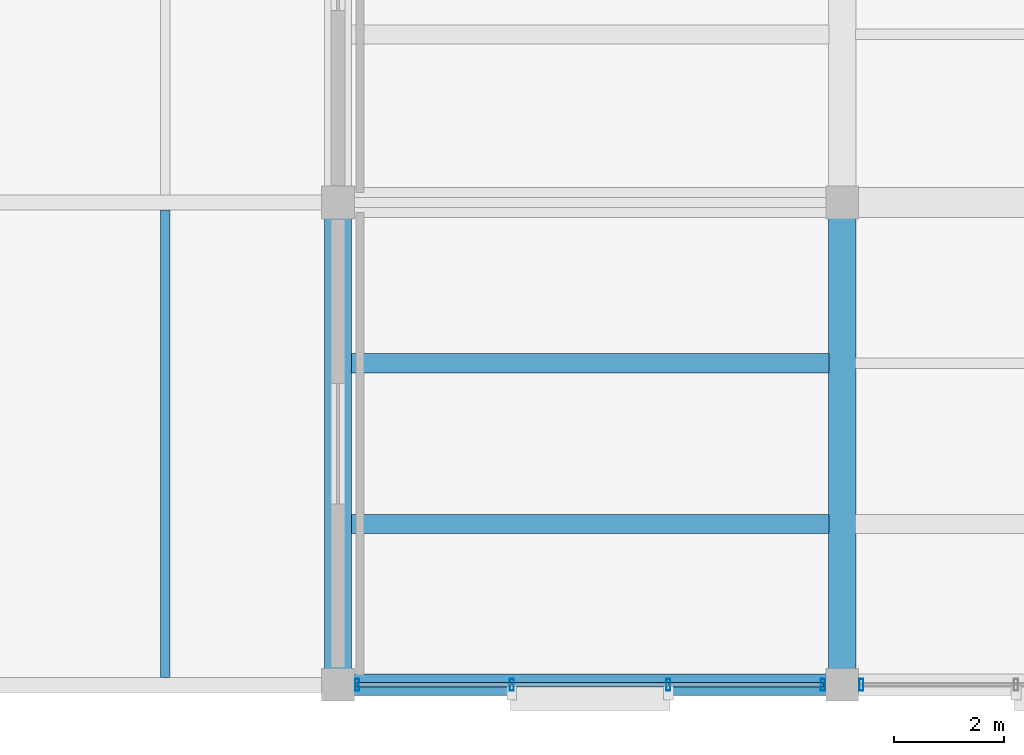
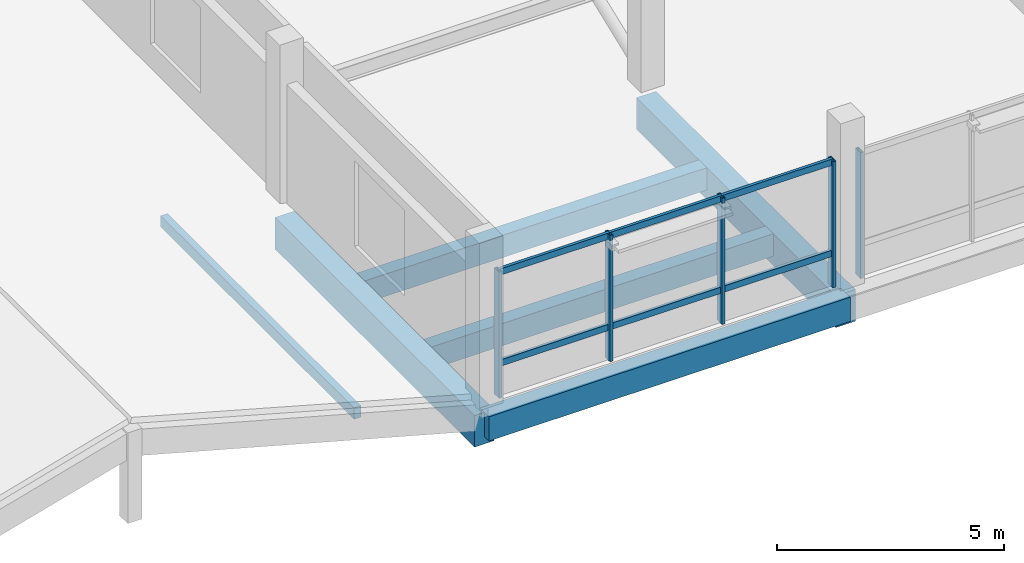
# One storey, part 13 of 77: 12 members, 5 beams, 2 elements without a shape of their own.
"""IFC4 building model written with IfcOpenShell, lengths in metres."""

import ifcopenshell
import ifcopenshell.guid

model = None  # the IFC model being written
_history = None  # IfcOwnerHistory: only IFC2X3 demands one
_inside = {}  # id of a spatial element -> (the spatial element, [elements in it])
_under = {}  # id of a project, library or spatial element -> (it, [spatial elements below it])
_declared = {}  # id of a project -> (the project, [libraries it declares])
_typed = {}  # id of a type object -> (the type object, [elements of that type])
_made_of = {}  # id of a material, layer set ... -> (it, [elements and type objects made of it])


def new_model(schema):
    """Start an empty IFC model of exactly this schema.

    Asked for "IFC4X3", IfcOpenShell would pick the latest addendum, in which some entities
    have other attributes; the version numbers below select the first issue.
    IFC2X3 requires an IfcOwnerHistory on every rooted entity: one is made here for all.
    """
    global model, _history
    if schema == "IFC4X3":
        model = ifcopenshell.file(schema_version=(4, 3, 0, 0))
    else:
        model = ifcopenshell.file(schema=schema)
    _inside.clear()
    _under.clear()
    _declared.clear()
    _typed.clear()
    _made_of.clear()
    _history = None
    if model.schema == "IFC2X3":
        org = make("IfcOrganization", Name="unknown")
        user = make(
            "IfcPersonAndOrganization",
            ThePerson=make("IfcPerson", FamilyName="unknown"),
            TheOrganization=org,
        )
        app = make(
            "IfcApplication",
            ApplicationDeveloper=org,
            Version="unknown",
            ApplicationFullName="unknown",
            ApplicationIdentifier="unknown",
        )
        _history = make(
            "IfcOwnerHistory",
            OwningUser=user,
            OwningApplication=app,
            ChangeAction="ADDED",
            CreationDate=0,
        )
    return model


def make(cls, **values):
    """One entity of the class cls with the attributes given. An attribute that is None is left unset."""
    return model.create_entity(
        cls, **{name: value for name, value in values.items() if value is not None}
    )


def rooted(cls, **values):
    """An entity with a GlobalId (a new one), such as an element, a storey or a relation."""
    return make(cls, GlobalId=ifcopenshell.guid.new(), OwnerHistory=_history, **values)


def si_unit(unit_type, name, prefix=None):
    """IfcSIUnit, for example si_unit("LENGTHUNIT", "METRE", prefix="MILLI")."""
    return make("IfcSIUnit", UnitType=unit_type, Prefix=prefix, Name=name)


def assignment(units):
    """IfcUnitAssignment: the units of a project."""
    return None if units is None else make("IfcUnitAssignment", Units=units)


def point(xyz):
    """IfcCartesianPoint."""
    return None if xyz is None else make("IfcCartesianPoint", Coordinates=xyz)


def direction(xyz):
    """IfcDirection."""
    return None if xyz is None else make("IfcDirection", DirectionRatios=xyz)


def frame(location, z_axis=None, x_axis=None):
    """IfcAxis2Placement3D, a coordinate frame: its origin and axes. An axis left out is left unset."""
    return make(
        "IfcAxis2Placement3D",
        Location=point(location),
        Axis=direction(z_axis),
        RefDirection=direction(x_axis),
    )


def frame_2d(location, x_axis=None):
    """IfcAxis2Placement2D, a coordinate frame in the plane: its origin and x axis."""
    return make(
        "IfcAxis2Placement2D", Location=point(location), RefDirection=direction(x_axis)
    )


def origin():
    """The frame at (0, 0, 0) with its axes left unset."""
    return frame((0.0, 0.0, 0.0))


def origin_2d():
    """The frame at (0, 0) in the plane with its x axis left unset."""
    return frame_2d((0.0, 0.0))


def place(relative_to, where):
    """IfcLocalPlacement: puts the frame where relative to a parent placement (None: the world)."""
    return make(
        "IfcLocalPlacement", PlacementRelTo=relative_to, RelativePlacement=where
    )


def context(
    kind, dimensions, precision=None, world=None, true_north=None, identifier=None
):
    """IfcGeometricRepresentationContext, for example the 3D "Model" context."""
    return make(
        "IfcGeometricRepresentationContext",
        ContextIdentifier=identifier,
        ContextType=kind,
        CoordinateSpaceDimension=dimensions,
        Precision=precision,
        WorldCoordinateSystem=world,
        TrueNorth=true_north,
    )


def subcontext(parent, identifier, kind, view, scale=None):
    """IfcGeometricRepresentationSubContext, for example "Body" below "Model"."""
    return make(
        "IfcGeometricRepresentationSubContext",
        ContextIdentifier=identifier,
        ContextType=kind,
        ParentContext=parent,
        TargetScale=scale,
        TargetView=view,
    )


def project(units=None, contexts=None):
    """IfcProject with its units and contexts."""
    return rooted(
        "IfcProject",
        Name="project",
        RepresentationContexts=contexts,
        UnitsInContext=assignment(units),
    )


def spatial(cls, under=None, at=None, **own):
    """A site, building, storey or space (cls), placed at a placement, below another one or the project."""
    s = rooted(cls, ObjectPlacement=at, **own)
    if under is not None:
        _under.setdefault(under.id(), (under, []))[1].append(s)
    return s


def profile(cls, at=None, kind="AREA", **sizes):
    """A parametric profile (cls). Its sizes go by their IFC names, for example OverallWidth=200.0."""
    return make(cls, ProfileType=kind, Position=at, **sizes)


def rectangle(**sizes):
    """IfcRectangleProfileDef."""
    return profile("IfcRectangleProfileDef", **sizes)


def hollow_rectangle(**sizes):
    """IfcRectangleHollowProfileDef."""
    return profile("IfcRectangleHollowProfileDef", **sizes)


def extrude(swept, where, along, depth):
    """IfcExtrudedAreaSolid: the profile swept, set in the frame where, extruded along a direction by depth."""
    return make(
        "IfcExtrudedAreaSolid",
        SweptArea=swept,
        Position=where,
        ExtrudedDirection=direction(along),
        Depth=depth,
    )


def shape(context_of_items, identifier, shape_type, items):
    """IfcShapeRepresentation: the items that make up one representation, for example the "Body"."""
    return make(
        "IfcShapeRepresentation",
        ContextOfItems=context_of_items,
        RepresentationIdentifier=identifier,
        RepresentationType=shape_type,
        Items=items,
    )


def material(Name=None, Category=None):
    """IfcMaterial."""
    return make("IfcMaterial", Name=Name, Category=Category)


def layer(
    of_material, thickness, ventilated=None, Name=None, Category=None, Priority=None
):
    """IfcMaterialLayer: one layer of a wall or slab, of a material (None: an air gap)."""
    return make(
        "IfcMaterialLayer",
        Material=of_material,
        LayerThickness=thickness,
        IsVentilated=ventilated,
        Name=Name,
        Category=Category,
        Priority=Priority,
    )


def layer_set(layers, Name=None):
    """IfcMaterialLayerSet."""
    return make("IfcMaterialLayerSet", MaterialLayers=layers, LayerSetName=Name)


def material_profile(
    of_material, cross_section, Name=None, Category=None, Priority=None
):
    """IfcMaterialProfile: a cross section and its material."""
    return make(
        "IfcMaterialProfile",
        Name=Name,
        Material=of_material,
        Profile=cross_section,
        Priority=Priority,
        Category=Category,
    )


def profile_set(profiles, Name=None, composite=None):
    """IfcMaterialProfileSet."""
    return make(
        "IfcMaterialProfileSet",
        Name=Name,
        MaterialProfiles=profiles,
        CompositeProfile=composite,
    )


def made_of(thing, what):
    """Note that an element or type object is made of a material, layer set ...; save() writes the relation."""
    if what is not None:
        _made_of.setdefault(what.id(), (what, []))[1].append(thing)
    return thing


def type_object(cls, material=None, **own):
    """A type object (cls), such as IfcWallType, which elements share."""
    return made_of(rooted(cls, **own), material)


def element(
    cls,
    number,
    at=None,
    inside=None,
    cuts=None,
    type_object=None,
    material=None,
    context=None,
    identifier="Body",
    shape_type=None,
    held_by="IfcProductDefinitionShape",
    body=None,
    shapes=None,
    **own,
):
    """One element of the class cls, such as IfcWall. Its Tag is "e" and its number.

    at: its placement. inside: the storey or other place that contains it. cuts: it is an
    opening in that element (IfcRelVoidsElement). A single representation is given by context,
    identifier, shape_type and body (its items); several are given by shapes. held_by: the class
    of the entity that holds the representations. save() writes the other relations.
    """
    e = rooted(cls, Tag="e%d" % number, ObjectPlacement=at, **own)
    if body is not None:
        shapes = [shape(context, identifier, shape_type, body)]
    if shapes is not None:
        e.Representation = make(held_by, Representations=shapes)
    if inside is not None:
        _inside.setdefault(inside.id(), (inside, []))[1].append(e)
    if cuts is not None:
        rooted(
            "IfcRelVoidsElement", RelatingBuildingElement=cuts, RelatedOpeningElement=e
        )
    if type_object is not None:
        _typed.setdefault(type_object.id(), (type_object, []))[1].append(e)
    return made_of(e, material)


def aggregate(whole, parts):
    """IfcRelAggregates: a whole, such as a stair, and the parts it consists of."""
    return rooted("IfcRelAggregates", RelatingObject=whole, RelatedObjects=parts)


def save(model, path):
    """Write the relations noted so far, then the file.

    IfcRelAggregates (storeys below a building ...), IfcRelContainedInSpatialStructure (elements
    in a storey), IfcRelDefinesByType, IfcRelAssociatesMaterial and IfcRelDeclares: one each for
    every whole, place, type object, material and project.
    """
    for whole, parts in _under.values():
        aggregate(whole, parts)
    for where, things in _inside.values():
        rooted(
            "IfcRelContainedInSpatialStructure",
            RelatedElements=things,
            RelatingStructure=where,
        )
    for kind, things in _typed.values():
        rooted("IfcRelDefinesByType", RelatedObjects=things, RelatingType=kind)
    for what, things in _made_of.values():
        rooted("IfcRelAssociatesMaterial", RelatedObjects=things, RelatingMaterial=what)
    for by, libraries in _declared.values():
        rooted("IfcRelDeclares", RelatingContext=by, RelatedDefinitions=libraries)
    model.write(path)


model = new_model("IFC4")

# Units and contexts
model_context = context("Model", 3, precision=1e-05, world=origin(), true_north=direction((0.0, 1.0)))
body_context = subcontext(model_context, "Body", "Model", "MODEL_VIEW")
ifc_project = project(units=[si_unit("LENGTHUNIT", "METRE"), si_unit("AREAUNIT", "SQUARE_METRE"), si_unit("VOLUMEUNIT", "CUBIC_METRE"), si_unit("PLANEANGLEUNIT", "RADIAN"), si_unit("MASSUNIT", "GRAM", prefix="KILO")], contexts=[model_context])

# Site, building, storey
site_placement = place(None, origin())
site = spatial("IfcSite", under=ifc_project, at=site_placement, CompositionType="ELEMENT")
building_placement = place(site_placement, origin())
building = spatial("IfcBuilding", under=site, at=building_placement, Name="Meriwether Solvik Hall", CompositionType="ELEMENT")
storey_placement = place(building_placement, frame((0.0, 0.0, 9.89990234375)))
storey = spatial("IfcBuildingStorey", under=building, at=storey_placement, Name="L02", CompositionType="ELEMENT", Elevation=9.89990234375)

# Beams
ifc_material_1 = material(Name="Concrete C40/50", Category="concrete")
ifc_material_profile_1 = material_profile(ifc_material_1, rectangle(XDim=0.35009765625, YDim=0.60009765625, at=origin_2d()), Name="RCB-350X600")
ifc_profile_set_1 = profile_set([ifc_material_profile_1], Name="Concrete C40/50")
beam_type_1 = type_object("IfcBeamType", Name="BM-RC-350X600", PredefinedType="JOIST", material=ifc_profile_set_1)
for number, where, z_axis, x_axis, name in (
    (1, (59.64501953125, 8.13330078125, -0.6298828125), (1.0, 0.0, 0.0), (0.0, 1.0, 0.0), "Secondary Floor Joist 7/A_J1 (L02)"),
    (2, (59.64501953125, 11.066650390625, -0.6298828125), (1.0, 0.0, 0.0), (0.0, 1.0, 0.0), "Secondary Floor Joist 7/A_J2 (L02)"),
):
    element("IfcBeam", number, at=place(storey_placement, frame(where, z_axis=z_axis, x_axis=x_axis)), inside=storey, type_object=beam_type_1, Name=name, PredefinedType="JOIST", context=body_context, shape_type="SweptSolid", body=[
        extrude(rectangle(XDim=0.35009765625, YDim=0.60009765625, at=origin_2d()), origin(), (0.0, 0.0, 1.0), 8.7099609375),
    ])
ifc_material_2 = material(Name="Concrete C40/50", Category="concrete")
ifc_material_profile_2 = material_profile(ifc_material_2, rectangle(XDim=0.39990234375, YDim=0.64990234375, at=origin_2d()), Name="RCB-400X650")
ifc_profile_set_2 = profile_set([ifc_material_profile_2], Name="Concrete C40/50")
beam_type_2 = type_object("IfcBeamType", Name="BM-RC-400X650", PredefinedType="SPANDREL", material=ifc_profile_set_2)
beam_placement = place(storey_placement, frame((59.39990234375, 5.199951171875, -0.65478515625), z_axis=(1.0, 0.0, 0.0), x_axis=(0.0, 1.0, 0.0)))
element("IfcBeam", 3, at=beam_placement, inside=storey, type_object=beam_type_2, Name="Podium Girder A:7-8 (L02)", PredefinedType="SPANDREL", context=body_context, shape_type="SweptSolid", body=[
    extrude(rectangle(XDim=0.39990234375, YDim=0.64990234375, at=origin_2d()), origin(), (0.0, 0.0, 1.0), 9.2001953125),
])
ifc_material_3 = material(Name="Concrete C40/50", Category="concrete")
ifc_material_profile_3 = material_profile(ifc_material_3, rectangle(XDim=0.5, YDim=0.85009765625, at=origin_2d()), Name="RCB-500X850")
ifc_profile_set_3 = profile_set([ifc_material_profile_3], Name="Concrete C40/50")
beam_type_3 = type_object("IfcBeamType", Name="BM-RC-500X850", PredefinedType="BEAM", material=ifc_profile_set_3)
for number, where, z_axis, x_axis, name in (
    (4, (59.39990234375, 5.199951171875, -0.7548828125), (0.0, 1.0, 0.0), (-1.0, 0.0, 0.0), "Podium Girder 7:A-B (L02)"),
    (5, (68.60009765625, 5.199951171875, -0.7548828125), (0.0, 1.0, 0.0), (-1.0, 0.0, 0.0), "Podium Girder 8:A-B (L02)"),
):
    element("IfcBeam", number, at=place(storey_placement, frame(where, z_axis=z_axis, x_axis=x_axis)), inside=storey, type_object=beam_type_3, Name=name, PredefinedType="BEAM", context=body_context, shape_type="SweptSolid", body=[
        extrude(rectangle(XDim=0.5, YDim=0.85009765625, at=origin_2d()), origin(), (0.0, 0.0, 1.0), 8.800048828125),
    ])

# Curtain wall, members
ifc_material_4 = material(Name="Thermally Broken Anodised Aluminium 6063-T6 and Low-E Glass", Category="aluminium")
ifc_layer = layer(ifc_material_4, 0.179931640625)
ifc_layer_set = layer_set([ifc_layer], Name="Thermally Broken Anodised Aluminium 6063-T6 and Low-E Glass")
curtain_wall_type = type_object("IfcCurtainWallType", Name="CW-SF-POD-C", PredefinedType="USERDEFINED", material=ifc_layer_set)
curtain_wall_1_placement = place(storey_placement, origin())
curtain_wall_1 = element("IfcCurtainWall", 6, at=curtain_wall_1_placement, inside=storey, type_object=curtain_wall_type, Name="Curtain Wall wing_XA_7_0 (L02)", ObjectType="STICK STOREFRONT GLAZING", PredefinedType="USERDEFINED")
ifc_material_5 = material(Name="Anodised Aluminium 6063-T6", Category="aluminium")
ifc_material_profile_4 = material_profile(ifc_material_5, hollow_rectangle(XDim=0.074951171875, YDim=0.219970703125, WallThickness=0.005615234375, at=origin_2d()), Name="CWM-75X220")
ifc_profile_set_4 = profile_set([ifc_material_profile_4], Name="Anodised Aluminium 6063-T6")
member_type_1 = type_object("IfcMemberType", Name="CW-MUL-75X220", PredefinedType="MULLION", material=ifc_profile_set_4)
member_1_placement = place(storey_placement, frame((68.25, 5.199951171875, 0.0), z_axis=(0.0, 0.0, 1.0), x_axis=(-1.0, 0.0, 0.0)))
member_1 = element("IfcMember", 7, at=member_1_placement, type_object=member_type_1, Name="Curtain Wall Mullion 1", PredefinedType="MULLION", context=body_context, shape_type="SweptSolid", body=[
    extrude(hollow_rectangle(XDim=0.074951171875, YDim=0.219970703125, WallThickness=0.005615234375, at=origin_2d()), origin(), (0.0, 0.0, 1.0), 3.39501953125),
])
member_2_placement = place(storey_placement, frame((65.429443359375, 5.199951171875, 0.0), z_axis=(0.0, 0.0, 1.0), x_axis=(-1.0, 0.0, 0.0)))
member_2 = element("IfcMember", 8, at=member_2_placement, type_object=member_type_1, Name="Curtain Wall Mullion 2", PredefinedType="MULLION", context=body_context, shape_type="SweptSolid", body=[
    extrude(hollow_rectangle(XDim=0.074951171875, YDim=0.219970703125, WallThickness=0.005615234375, at=origin_2d()), origin(), (0.0, 0.0, 1.0), 3.39501953125),
])
member_3_placement = place(storey_placement, frame((62.570556640625, 5.199951171875, 0.0), z_axis=(0.0, 0.0, 1.0), x_axis=(-1.0, 0.0, 0.0)))
member_3 = element("IfcMember", 9, at=member_3_placement, type_object=member_type_1, Name="Curtain Wall Mullion 3", PredefinedType="MULLION", context=body_context, shape_type="SweptSolid", body=[
    extrude(hollow_rectangle(XDim=0.074951171875, YDim=0.219970703125, WallThickness=0.005615234375, at=origin_2d()), origin(), (0.0, 0.0, 1.0), 3.39501953125),
])
member_4_placement = place(storey_placement, frame((59.75, 5.199951171875, 0.0), z_axis=(0.0, 0.0, 1.0), x_axis=(-1.0, 0.0, 0.0)))
member_4 = element("IfcMember", 10, at=member_4_placement, type_object=member_type_1, Name="Curtain Wall Mullion 4", PredefinedType="MULLION", context=body_context, shape_type="SweptSolid", body=[
    extrude(hollow_rectangle(XDim=0.074951171875, YDim=0.219970703125, WallThickness=0.005615234375, at=origin_2d()), origin(), (0.0, 0.0, 1.0), 3.39501953125),
])

# Curtain wall, member
curtain_wall_2_placement = place(storey_placement, origin())
curtain_wall_2 = element("IfcCurtainWall", 11, at=curtain_wall_2_placement, inside=storey, type_object=curtain_wall_type, Name="Curtain Wall wing_XA_8_1 (L02)", ObjectType="STICK STOREFRONT GLAZING", PredefinedType="USERDEFINED")
member_5_placement = place(storey_placement, frame((68.949951171875, 5.199951171875, 0.0), z_axis=(0.0, 0.0, 1.0), x_axis=(-1.0, 0.0, 0.0)))
member_5 = element("IfcMember", 12, at=member_5_placement, type_object=member_type_1, Name="Curtain Wall Mullion 4", PredefinedType="MULLION", context=body_context, shape_type="SweptSolid", body=[
    extrude(hollow_rectangle(XDim=0.074951171875, YDim=0.219970703125, WallThickness=0.005615234375, at=origin_2d()), origin(), (0.0, 0.0, 1.0), 3.39501953125),
])
aggregate(curtain_wall_2, [member_5])

# Member
ifc_material_6 = material(Name="Anodised Aluminium 6063-T6", Category="aluminium")
ifc_material_profile_5 = material_profile(ifc_material_6, hollow_rectangle(XDim=0.074951171875, YDim=0.169921875, WallThickness=0.005615234375, at=origin_2d()), Name="CWT-75X170")
ifc_profile_set_5 = profile_set([ifc_material_profile_5], Name="Anodised Aluminium 6063-T6")
member_type_2 = type_object("IfcMemberType", Name="CW-TRN-75X170", PredefinedType="USERDEFINED", material=ifc_profile_set_5)
member_6_placement = place(storey_placement, frame((68.25, 5.199951171875, 0.880126953125), z_axis=(-1.0, 0.0, 0.0), x_axis=(0.0, -1.0, 0.0)))
member_6 = element("IfcMember", 13, at=member_6_placement, type_object=member_type_2, Name="Curtain Wall Transom 1-sill", ObjectType="TRANSOM", PredefinedType="USERDEFINED", context=body_context, shape_type="SweptSolid", body=[
    extrude(hollow_rectangle(XDim=0.074951171875, YDim=0.169921875, WallThickness=0.005615234375, at=origin_2d()), origin(), (0.0, 0.0, 1.0), 2.820556640625),
])

member_7_placement = place(storey_placement, frame((68.25, 5.199951171875, 3.335205078125), z_axis=(-1.0, 0.0, 0.0), x_axis=(0.0, -1.0, 0.0)))
member_7 = element("IfcMember", 14, at=member_7_placement, type_object=member_type_2, Name="Curtain Wall Transom 1-head", ObjectType="TRANSOM", PredefinedType="USERDEFINED", context=body_context, shape_type="SweptSolid", body=[
    extrude(hollow_rectangle(XDim=0.074951171875, YDim=0.169921875, WallThickness=0.005615234375, at=origin_2d()), origin(), (0.0, 0.0, 1.0), 2.820556640625),
])

member_8_placement = place(storey_placement, frame((65.429443359375, 5.199951171875, 0.880126953125), z_axis=(-1.0, 0.0, 0.0), x_axis=(0.0, -1.0, 0.0)))
member_8 = element("IfcMember", 15, at=member_8_placement, type_object=member_type_2, Name="Curtain Wall Transom 2-sill", ObjectType="TRANSOM", PredefinedType="USERDEFINED", context=body_context, shape_type="SweptSolid", body=[
    extrude(hollow_rectangle(XDim=0.074951171875, YDim=0.169921875, WallThickness=0.005615234375, at=origin_2d()), origin(), (0.0, 0.0, 1.0), 2.85888671875),
])

member_9_placement = place(storey_placement, frame((65.429443359375, 5.199951171875, 3.335205078125), z_axis=(-1.0, 0.0, 0.0), x_axis=(0.0, -1.0, 0.0)))
member_9 = element("IfcMember", 16, at=member_9_placement, type_object=member_type_2, Name="Curtain Wall Transom 2-head", ObjectType="TRANSOM", PredefinedType="USERDEFINED", context=body_context, shape_type="SweptSolid", body=[
    extrude(hollow_rectangle(XDim=0.074951171875, YDim=0.169921875, WallThickness=0.005615234375, at=origin_2d()), origin(), (0.0, 0.0, 1.0), 2.85888671875),
])

member_10_placement = place(storey_placement, frame((62.570556640625, 5.199951171875, 0.880126953125), z_axis=(-1.0, 0.0, 0.0), x_axis=(0.0, -1.0, 0.0)))
member_10 = element("IfcMember", 17, at=member_10_placement, type_object=member_type_2, Name="Curtain Wall Transom 3-sill", ObjectType="TRANSOM", PredefinedType="USERDEFINED", context=body_context, shape_type="SweptSolid", body=[
    extrude(hollow_rectangle(XDim=0.074951171875, YDim=0.169921875, WallThickness=0.005615234375, at=origin_2d()), origin(), (0.0, 0.0, 1.0), 2.820556640625),
])

member_11_placement = place(storey_placement, frame((62.570556640625, 5.199951171875, 3.335205078125), z_axis=(-1.0, 0.0, 0.0), x_axis=(0.0, -1.0, 0.0)))
member_11 = element("IfcMember", 18, at=member_11_placement, type_object=member_type_2, Name="Curtain Wall Transom 3-head", ObjectType="TRANSOM", PredefinedType="USERDEFINED", context=body_context, shape_type="SweptSolid", body=[
    extrude(hollow_rectangle(XDim=0.074951171875, YDim=0.169921875, WallThickness=0.005615234375, at=origin_2d()), origin(), (0.0, 0.0, 1.0), 2.820556640625),
])

aggregate(curtain_wall_1, [member_1, member_2, member_3, member_4, member_6, member_7, member_8, member_9, member_10, member_11])

ifc_material_7 = material(Name="Glulam Douglas-Fir 24F-V8 GL28h", Category="wood")
ifc_material_profile_6 = material_profile(ifc_material_7, rectangle(XDim=0.175048828125, YDim=0.304931640625, at=origin_2d()), Name="GLM-175X305")
ifc_profile_set_6 = profile_set([ifc_material_profile_6], Name="Glulam Douglas-Fir 24F-V8 GL28h")
member_type_3 = type_object("IfcMemberType", Name="MEM-PRL-GL175", PredefinedType="PURLIN", material=ifc_profile_set_6)
member_12_placement = place(storey_placement, frame((56.25, 5.33251953125, 0.689697265625), z_axis=(0.0, 1.0, 0.0), x_axis=(-1.0, 0.0, 0.0)))
element("IfcMember", 19, at=member_12_placement, inside=storey, type_object=member_type_3, Name="Sloped Roof Glulam Purlin w1_east_gbl_e-1.1", PredefinedType="PURLIN", context=body_context, shape_type="SweptSolid", body=[
    extrude(rectangle(XDim=0.175048828125, YDim=0.304931640625, at=origin_2d()), origin(), (0.0, 0.0, 1.0), 8.534912109375),
])

save(model, "model.ifc")
